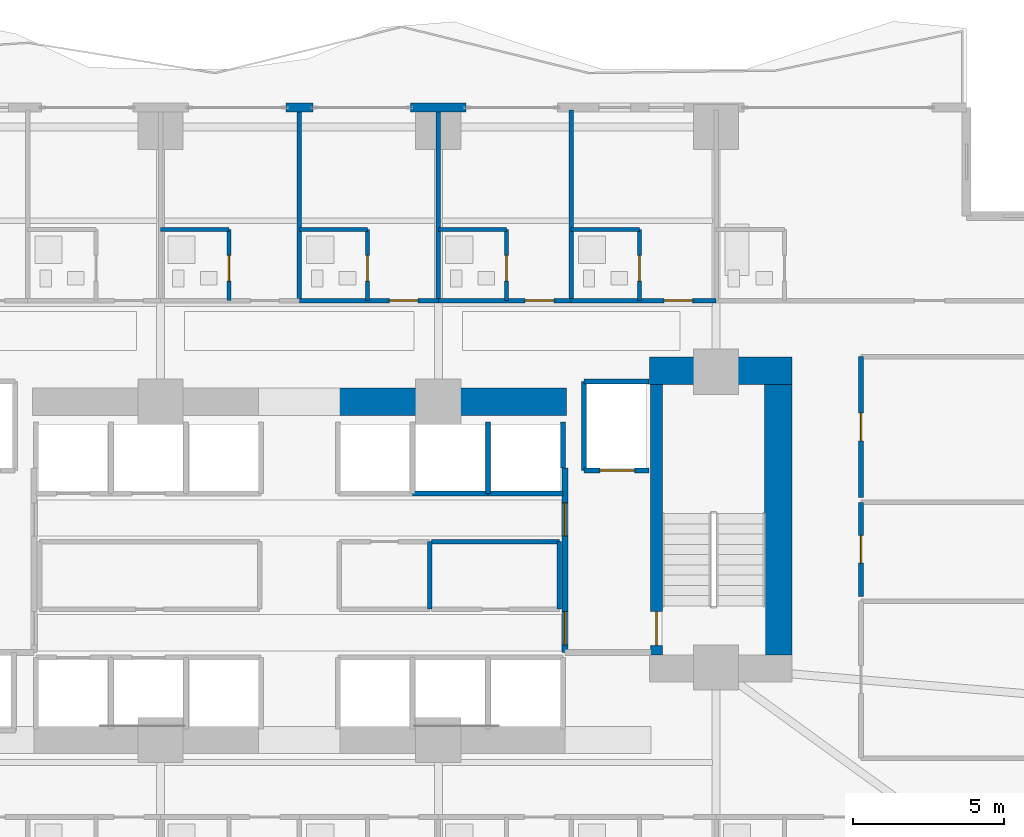
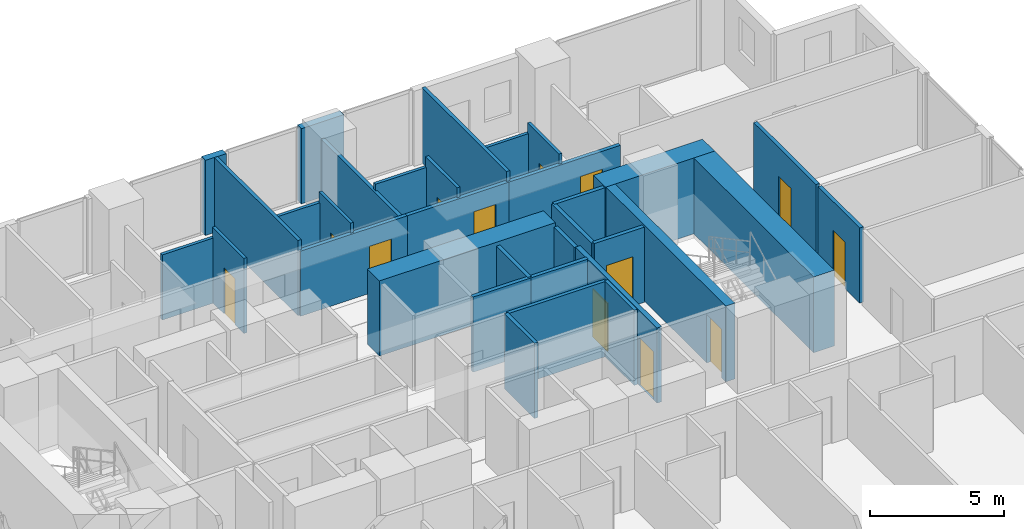
# One storey, part 23 of 29: 33 walls, 13 doors, 13 openings.
"""IFC4 building model written with IfcOpenShell, lengths in metres."""

from ifc_helpers import new_model, si_unit, direction, frame, frame_2d, origin, place, context, subcontext, project, spatial, rectangle, extrude, material, layer, layer_set, type_object, element, fill, save


model = new_model("IFC4")

# Units and contexts
model_context = context("Model", 3, precision=1e-05, world=origin(), true_north=direction((0.0, 1.0)))
body_context = subcontext(model_context, "Body", "Model", "MODEL_VIEW")
ifc_project = project(units=[si_unit("LENGTHUNIT", "METRE"), si_unit("AREAUNIT", "SQUARE_METRE"), si_unit("VOLUMEUNIT", "CUBIC_METRE"), si_unit("PLANEANGLEUNIT", "RADIAN"), si_unit("MASSUNIT", "GRAM", prefix="KILO")], contexts=[model_context])

# Site, building, storey
site_placement = place(None, origin())
site = spatial("IfcSite", under=ifc_project, at=site_placement, CompositionType="ELEMENT")
building_placement = place(site_placement, origin())
building = spatial("IfcBuilding", under=site, at=building_placement, Name="Zuhayl Quay Hotel", CompositionType="ELEMENT")
storey_placement = place(building_placement, frame((0.0, 0.0, 60.449951171875)))
storey = spatial("IfcBuildingStorey", under=building, at=storey_placement, Name="L14", CompositionType="ELEMENT", Elevation=60.449951171875)

# Walls
ifc_material_1 = material(Name="Concrete C70/85", Category="concrete")
ifc_layer_1 = layer(ifc_material_1, 0.89990234375, Name="Concrete C70/85", Category="concrete")
ifc_layer_set_1 = layer_set([ifc_layer_1], Name="Concrete C70/85")
wall_type_1 = type_object("IfcWallType", Name="WL_CORE_900", PredefinedType="SHEAR", material=ifc_layer_set_1)
wall_1_placement = place(storey_placement, frame((11.60009765625, 14.3798828125, 0.0), z_axis=(0.0, 0.0, 1.0), x_axis=(1.0, 0.0, 0.0)))
element("IfcWall", 1, at=wall_1_placement, inside=storey, type_object=wall_type_1, Name="L14 Core Shear Wall CW_NE", PredefinedType="SHEAR", context=body_context, shape_type="SweptSolid", body=[
    extrude(rectangle(XDim=4.7099609375, YDim=0.89990234375, at=frame_2d((2.35498046875, 0.0))), origin(), (0.0, 0.0, 1.0), 3.4599609375),
])
wall_2_placement = place(storey_placement, frame((15.860107421875, 4.969970703125, 0.0), z_axis=(0.0, 0.0, 1.0), x_axis=(0.0, 1.0, 0.0)))
element("IfcWall", 2, at=wall_2_placement, inside=storey, type_object=wall_type_1, Name="L14 Core Shear Wall CW_E", PredefinedType="SHEAR", context=body_context, shape_type="SweptSolid", body=[
    extrude(rectangle(XDim=8.9599609375, YDim=0.89990234375, at=frame_2d((4.47998046875, 0.0))), origin(), (0.0, 0.0, 1.0), 3.4599609375),
])
wall_3_placement = place(storey_placement, frame((1.25, 13.35009765625, 0.0), z_axis=(0.0, 0.0, 1.0), x_axis=(1.0, 0.0, 0.0)))
element("IfcWall", 3, at=wall_3_placement, inside=storey, type_object=wall_type_1, Name="L14 Core Shear Wall CW_NC_E", PredefinedType="SHEAR", context=body_context, shape_type="SweptSolid", body=[
    extrude(rectangle(XDim=7.60009765625, YDim=0.89990234375, at=frame_2d((3.800048828125, 0.0))), origin(), (0.0, 0.0, 1.0), 3.429931640625),
])
ifc_material_2 = material(Name="Precast concrete C45/55", Category="concrete")
ifc_layer_2 = layer(ifc_material_2, 0.300048828125, Name="Precast concrete C45/55", Category="concrete")
ifc_layer_set_2 = layer_set([ifc_layer_2], Name="Precast concrete C45/55")
wall_type_2 = type_object("IfcWallType", Name="WL_EXT_300", PredefinedType="STANDARD", material=ifc_layer_set_2)
wall_4_placement = place(storey_placement, frame((-0.449951171875, 23.10009765625, 0.0), z_axis=(0.0, 0.0, 1.0), x_axis=(1.0, 0.0, 0.0)))
element("IfcWall", 4, at=wall_4_placement, inside=storey, type_object=wall_type_2, Name="L14 Exterior Precast Wall ENV_L14_N_EW4", PredefinedType="STANDARD", context=body_context, shape_type="SweptSolid", body=[
    extrude(rectangle(XDim=0.89990234375, YDim=0.300048828125, at=frame_2d((0.449951171875, 0.0))), origin(), (0.0, 0.0, 1.0), 3.429931640625),
])
wall_5_placement = place(storey_placement, frame((3.679931640625, 23.10009765625, 0.0), z_axis=(0.0, 0.0, 1.0), x_axis=(1.0, 0.0, 0.0)))
element("IfcWall", 5, at=wall_5_placement, inside=storey, type_object=wall_type_2, Name="L14 Exterior Precast Wall ENV_L14_N_EW5", PredefinedType="STANDARD", context=body_context, shape_type="SweptSolid", body=[
    extrude(rectangle(XDim=1.840087890625, YDim=0.300048828125, at=frame_2d((0.919921875, 0.0))), origin(), (0.0, 0.0, 1.0), 3.429931640625),
])
ifc_material_3 = material(Name="Acoustic Gypsum Partition STC-58")
ifc_layer_3 = layer(ifc_material_3, 0.14990234375, Name="Acoustic Gypsum Partition STC-58")
ifc_layer_set_3 = layer_set([ifc_layer_3], Name="Acoustic Gypsum Partition STC-58")
wall_type_3 = type_object("IfcWallType", Name="WL_PART_150", PredefinedType="PARTITIONING", material=ifc_layer_set_3)
wall_6_placement = place(storey_placement, frame((4.31005859375, 6.47998046875, 0.0), z_axis=(0.0, 0.0, 1.0), x_axis=(0.0, 1.0, 0.0)))
element("IfcWall", 6, at=wall_6_placement, inside=storey, type_object=wall_type_3, Name="L14 Partition IW_L14_CORE_IT_E", PredefinedType="PARTITIONING", context=body_context, shape_type="SweptSolid", body=[
    extrude(rectangle(XDim=2.239990234375, YDim=0.14990234375, at=frame_2d((1.1201171875, 0.0))), origin(), (0.0, 0.0, 1.0), 3.429931640625),
])
wall_7_placement = place(storey_placement, frame((4.3701171875, 8.719970703125, 0.0), z_axis=(0.0, 0.0, 1.0), x_axis=(1.0, 0.0, 0.0)))
element("IfcWall", 7, at=wall_7_placement, inside=storey, type_object=wall_type_3, Name="L14 Partition IW_L14_CORE_LN_N", PredefinedType="PARTITIONING", context=body_context, shape_type="SweptSolid", body=[
    extrude(rectangle(XDim=4.239990234375, YDim=0.14990234375, at=frame_2d((2.1201171875, 0.0))), origin(), (0.0, 0.0, 1.0), 3.429931640625),
])
wall_8_placement = place(storey_placement, frame((8.610107421875, 6.47998046875, 0.0), z_axis=(0.0, 0.0, 1.0), x_axis=(0.0, 1.0, 0.0)))
element("IfcWall", 8, at=wall_8_placement, inside=storey, type_object=wall_type_3, Name="L14 Partition IW_L14_CORE_LN_E", PredefinedType="PARTITIONING", context=body_context, shape_type="SweptSolid", body=[
    extrude(rectangle(XDim=2.239990234375, YDim=0.14990234375, at=frame_2d((1.1201171875, 0.0))), origin(), (0.0, 0.0, 1.0), 3.429931640625),
])
wall_9_placement = place(storey_placement, frame((0.0, 16.699951171875, 0.0), z_axis=(0.0, 0.0, 1.0), x_axis=(0.0, 1.0, 0.0)))
element("IfcWall", 9, at=wall_9_placement, inside=storey, type_object=wall_type_3, Name="L14 Partition IW_L14_NU04_E", PredefinedType="PARTITIONING", context=body_context, shape_type="SweptSolid", body=[
    extrude(rectangle(XDim=6.320068359375, YDim=0.14990234375, at=frame_2d((3.16015625, 0.0))), origin(), (0.0, 0.0, 1.0), 3.429931640625),
])
wall_10_placement = place(storey_placement, frame((4.60009765625, 16.699951171875, 0.0), z_axis=(0.0, 0.0, 1.0), x_axis=(0.0, 1.0, 0.0)))
element("IfcWall", 10, at=wall_10_placement, inside=storey, type_object=wall_type_3, Name="L14 Partition IW_L14_NU05_E", PredefinedType="PARTITIONING", context=body_context, shape_type="SweptSolid", body=[
    extrude(rectangle(XDim=6.320068359375, YDim=0.14990234375, at=frame_2d((3.16015625, 0.0))), origin(), (0.0, 0.0, 1.0), 2.66796875),
])
wall_11_placement = place(storey_placement, frame((9.0, 16.699951171875, 0.0), z_axis=(0.0, 0.0, 1.0), x_axis=(0.0, 1.0, 0.0)))
element("IfcWall", 11, at=wall_11_placement, inside=storey, type_object=wall_type_3, Name="L14 Partition IW_L14_NU06_E", PredefinedType="PARTITIONING", context=body_context, shape_type="SweptSolid", body=[
    extrude(rectangle(XDim=6.320068359375, YDim=0.14990234375, at=frame_2d((3.16015625, 0.0))), origin(), (0.0, 0.0, 1.0), 3.429931640625),
])

# Wall, opening, door
ifc_layer_4 = layer(ifc_material_3, 0.159912109375, Name="Acoustic Gypsum Partition STC-58")
ifc_layer_set_4 = layer_set([ifc_layer_4], Name="Acoustic Gypsum Partition STC-58")
wall_type_4 = type_object("IfcWallType", Name="WL_PART_CORR_160", PredefinedType="PARTITIONING", material=ifc_layer_set_4)
wall_12_placement = place(storey_placement, frame((0.0, 16.699951171875, 0.0), z_axis=(0.0, 0.0, 1.0), x_axis=(1.0, 0.0, 0.0)))
wall_12 = element("IfcWall", 12, at=wall_12_placement, inside=storey, type_object=wall_type_4, Name="L14 Partition IW_L14_NU05_COR", PredefinedType="PARTITIONING", context=body_context, shape_type="SweptSolid", body=[
    extrude(rectangle(XDim=4.60009765625, YDim=0.159912109375, at=frame_2d((2.300048828125, 0.0))), origin(), (0.0, 0.0, 1.0), 2.97314453125),
])
opening_1_placement = place(wall_12_placement, frame((2.97509765625, 0.0, 0.0)))
opening_1 = element("IfcOpeningElement", 13, at=opening_1_placement, cuts=wall_12, Name="Opening D03", PredefinedType="OPENING", context=body_context, shape_type="SweptSolid", body=[
    extrude(rectangle(XDim=0.949951171875, YDim=2.14990234375, at=frame_2d((0.47509765625, 1.074951171875))), frame((0.0, 0.08984375, 0.0), z_axis=(0.0, -1.0, 0.0), x_axis=(1.0, 0.0, 0.0)), (0.0, 0.0, 1.0), 0.179931640625),
])
ifc_material_4 = material(Name="Solid Walnut Acoustic Fire Door")
door_type_1 = type_object("IfcDoorType", Name="DR_SUITE_950", OperationType="NOTDEFINED", PredefinedType="DOOR", material=ifc_material_4)
door_1_placement = place(opening_1_placement, origin())
door_1 = element("IfcDoor", 14, at=door_1_placement, inside=storey, type_object=door_type_1, Name="L14 Deluxe Gulf Guest Room L14-05 Entrance Door", OperationType="SINGLE_SWING_RIGHT", OverallHeight=2.14990234375, OverallWidth=0.949951171875, PredefinedType="DOOR", context=body_context, shape_type="SweptSolid", body=[
    extrude(rectangle(XDim=0.949951171875, YDim=2.14990234375, at=frame_2d((0.47509765625, 1.074951171875))), frame((0.0, 0.02490234375, 0.0), z_axis=(0.0, -1.0, 0.0), x_axis=(1.0, 0.0, 0.0)), (0.0, 0.0, 1.0), 0.050048828125),
])
fill(opening_1, door_1)

wall_13_placement = place(storey_placement, frame((4.60009765625, 16.699951171875, 0.0), z_axis=(0.0, 0.0, 1.0), x_axis=(1.0, 0.0, 0.0)))
wall_13 = element("IfcWall", 15, at=wall_13_placement, inside=storey, type_object=wall_type_4, Name="L14 Partition IW_L14_NU06_COR", PredefinedType="PARTITIONING", context=body_context, shape_type="SweptSolid", body=[
    extrude(rectangle(XDim=4.39990234375, YDim=0.159912109375, at=frame_2d((2.199951171875, 0.0))), origin(), (0.0, 0.0, 1.0), 2.97314453125),
])
opening_2_placement = place(wall_13_placement, frame((2.875, 0.0, 0.0)))
opening_2 = element("IfcOpeningElement", 16, at=opening_2_placement, cuts=wall_13, Name="Opening D03", PredefinedType="OPENING", context=body_context, shape_type="SweptSolid", body=[
    extrude(rectangle(XDim=0.949951171875, YDim=2.14990234375, at=frame_2d((0.47509765625, 1.074951171875))), frame((0.0, 0.08984375, 0.0), z_axis=(0.0, -1.0, 0.0), x_axis=(1.0, 0.0, 0.0)), (0.0, 0.0, 1.0), 0.179931640625),
])
door_2_placement = place(opening_2_placement, origin())
door_2 = element("IfcDoor", 17, at=door_2_placement, inside=storey, type_object=door_type_1, Name="L14 Deluxe Gulf Guest Room L14-06 Entrance Door", OperationType="SINGLE_SWING_RIGHT", OverallHeight=2.14990234375, OverallWidth=0.949951171875, PredefinedType="DOOR", context=body_context, shape_type="SweptSolid", body=[
    extrude(rectangle(XDim=0.949951171875, YDim=2.14990234375, at=frame_2d((0.47509765625, 1.074951171875))), frame((0.0, 0.02490234375, 0.0), z_axis=(0.0, -1.0, 0.0), x_axis=(1.0, 0.0, 0.0)), (0.0, 0.0, 1.0), 0.050048828125),
])
fill(opening_2, door_2)

wall_14_placement = place(storey_placement, frame((9.0, 16.699951171875, 0.0), z_axis=(0.0, 0.0, 1.0), x_axis=(1.0, 0.0, 0.0)))
wall_14 = element("IfcWall", 18, at=wall_14_placement, inside=storey, type_object=wall_type_4, Name="L14 Partition IW_L14_NU07_COR", PredefinedType="PARTITIONING", context=body_context, shape_type="SweptSolid", body=[
    extrude(rectangle(XDim=4.800048828125, YDim=0.159912109375, at=frame_2d((2.39990234375, 0.0))), origin(), (0.0, 0.0, 1.0), 2.97314453125),
])
opening_3_placement = place(wall_14_placement, frame((3.074951171875, 0.0, 0.0)))
opening_3 = element("IfcOpeningElement", 19, at=opening_3_placement, cuts=wall_14, Name="Opening D03", PredefinedType="OPENING", context=body_context, shape_type="SweptSolid", body=[
    extrude(rectangle(XDim=0.949951171875, YDim=2.14990234375, at=frame_2d((0.47509765625, 1.074951171875))), frame((0.0, 0.08984375, 0.0), z_axis=(0.0, -1.0, 0.0), x_axis=(1.0, 0.0, 0.0)), (0.0, 0.0, 1.0), 0.179931640625),
])
door_3_placement = place(opening_3_placement, origin())
door_3 = element("IfcDoor", 20, at=door_3_placement, inside=storey, type_object=door_type_1, Name="L14 Deluxe Gulf Guest Room L14-07 Entrance Door", OperationType="SINGLE_SWING_RIGHT", OverallHeight=2.14990234375, OverallWidth=0.949951171875, PredefinedType="DOOR", context=body_context, shape_type="SweptSolid", body=[
    extrude(rectangle(XDim=0.949951171875, YDim=2.14990234375, at=frame_2d((0.47509765625, 1.074951171875))), frame((0.0, 0.02490234375, 0.0), z_axis=(0.0, -1.0, 0.0), x_axis=(1.0, 0.0, 0.0)), (0.0, 0.0, 1.0), 0.050048828125),
])
fill(opening_3, door_3)

wall_15_placement = place(storey_placement, frame((18.60009765625, 6.909912109375, 0.0), z_axis=(0.0, 0.0, 1.0), x_axis=(0.0, 1.0, 0.0)))
wall_15 = element("IfcWall", 21, at=wall_15_placement, inside=storey, type_object=wall_type_4, Name="L14 Partition IW_L14_EFLK_2_W", PredefinedType="PARTITIONING", context=body_context, shape_type="SweptSolid", body=[
    extrude(rectangle(XDim=3.110107421875, YDim=0.159912109375, at=frame_2d((1.55517578125, 0.0))), origin(), (0.0, 0.0, 1.0), 3.429931640625),
])
opening_4_placement = place(wall_15_placement, frame((1.094970703125, 0.0, 0.0)))
opening_4 = element("IfcOpeningElement", 22, at=opening_4_placement, cuts=wall_15, Name="Opening D05", PredefinedType="OPENING", context=body_context, shape_type="SweptSolid", body=[
    extrude(rectangle(XDim=0.919921875, YDim=2.1201171875, at=frame_2d((0.4599609375, 1.06005859375))), frame((0.0, 0.08984375, 0.0), z_axis=(0.0, -1.0, 0.0), x_axis=(1.0, 0.0, 0.0)), (0.0, 0.0, 1.0), 0.179931640625),
])
door_type_2 = type_object("IfcDoorType", Name="DR_INT_950", OperationType="NOTDEFINED", PredefinedType="DOOR", material=ifc_material_4)
door_4_placement = place(opening_4_placement, origin())
door_4 = element("IfcDoor", 23, at=door_4_placement, inside=storey, type_object=door_type_2, Name="L14 Floor Beverage Pantry Door", OperationType="SINGLE_SWING_RIGHT", OverallHeight=2.1201171875, OverallWidth=0.919921875, PredefinedType="DOOR", context=body_context, shape_type="SweptSolid", body=[
    extrude(rectangle(XDim=0.919921875, YDim=2.1201171875, at=frame_2d((0.4599609375, 1.06005859375))), frame((0.0, 0.02490234375, 0.0), z_axis=(0.0, -1.0, 0.0), x_axis=(1.0, 0.0, 0.0)), (0.0, 0.0, 1.0), 0.050048828125),
])
fill(opening_4, door_4)

wall_16_placement = place(storey_placement, frame((18.60009765625, 10.179931640625, 0.0), z_axis=(0.0, 0.0, 1.0), x_axis=(0.0, 1.0, 0.0)))
wall_16 = element("IfcWall", 24, at=wall_16_placement, inside=storey, type_object=wall_type_4, Name="L14 Partition IW_L14_EFLK_3_W", PredefinedType="PARTITIONING", context=body_context, shape_type="SweptSolid", body=[
    extrude(rectangle(XDim=4.670166015625, YDim=0.159912109375, at=frame_2d((2.3349609375, 0.0))), origin(), (0.0, 0.0, 1.0), 3.429931640625),
])
opening_5_placement = place(wall_16_placement, frame((1.875, 0.0, 0.0)))
opening_5 = element("IfcOpeningElement", 25, at=opening_5_placement, cuts=wall_16, Name="Opening D05", PredefinedType="OPENING", context=body_context, shape_type="SweptSolid", body=[
    extrude(rectangle(XDim=0.919921875, YDim=2.1201171875, at=frame_2d((0.4599609375, 1.06005859375))), frame((0.0, 0.08984375, 0.0), z_axis=(0.0, -1.0, 0.0), x_axis=(1.0, 0.0, 0.0)), (0.0, 0.0, 1.0), 0.179931640625),
])
door_5_placement = place(opening_5_placement, origin())
door_5 = element("IfcDoor", 26, at=door_5_placement, inside=storey, type_object=door_type_2, Name="L14 East Prow Office L14 Door", OperationType="SINGLE_SWING_LEFT", OverallHeight=2.1201171875, OverallWidth=0.919921875, PredefinedType="DOOR", context=body_context, shape_type="SweptSolid", body=[
    extrude(rectangle(XDim=0.919921875, YDim=2.1201171875, at=frame_2d((0.4599609375, 1.06005859375))), frame((0.0, 0.02490234375, 0.0), z_axis=(0.0, -1.0, 0.0), x_axis=(1.0, 0.0, 0.0)), (0.0, 0.0, 1.0), 0.050048828125),
])
fill(opening_5, door_5)

ifc_material_5 = material(Name="Moisture-Resistant Sanitarychase Gypsum")
ifc_layer_5 = layer(ifc_material_5, 0.135009765625, Name="Moisture-Resistant Sanitarychase Gypsum")
ifc_layer_set_5 = layer_set([ifc_layer_5], Name="Moisture-Resistant Sanitarychase Gypsum")
wall_type_5 = type_object("IfcWallType", Name="WL_PART_PLUMB_150", PredefinedType="PLUMBINGWALL", material=ifc_layer_set_5)
wall_17_placement = place(storey_placement, frame((-2.340087890625, 16.699951171875, 0.0), z_axis=(0.0, 0.0, 1.0), x_axis=(0.0, 1.0, 0.0)))
wall_17 = element("IfcWall", 27, at=wall_17_placement, inside=storey, type_object=wall_type_5, Name="L14 Partition IW_L14_NU04_BE", PredefinedType="PLUMBINGWALL", context=body_context, shape_type="SweptSolid", body=[
    extrude(rectangle(XDim=2.360107421875, YDim=0.135009765625, at=frame_2d((1.18017578125, 0.0))), origin(), (0.0, 0.0, 1.0), 3.429931640625),
])
opening_6_placement = place(wall_17_placement, frame((0.64990234375, 0.0, 0.0)))
opening_6 = element("IfcOpeningElement", 28, at=opening_6_placement, cuts=wall_17, Name="Opening D04", PredefinedType="OPENING", context=body_context, shape_type="SweptSolid", body=[
    extrude(rectangle(XDim=0.85009765625, YDim=2.10009765625, at=frame_2d((0.425048828125, 1.050048828125))), frame((0.0, 0.077392578125, 0.0), z_axis=(0.0, -1.0, 0.0), x_axis=(1.0, 0.0, 0.0)), (0.0, 0.0, 1.0), 0.155029296875),
])
ifc_material_6 = material(Name="Moisture-Resistant Walnut Veneer")
door_type_3 = type_object("IfcDoorType", Name="DR_BATH_850", OperationType="NOTDEFINED", PredefinedType="DOOR", material=ifc_material_6)
door_6_placement = place(opening_6_placement, origin())
door_6 = element("IfcDoor", 29, at=door_6_placement, inside=storey, type_object=door_type_3, Name="L14 Deluxe Gulf Guest Room L14-04 En-Suite Door", OperationType="SINGLE_SWING_LEFT", OverallHeight=2.10009765625, OverallWidth=0.85009765625, PredefinedType="DOOR", context=body_context, shape_type="SweptSolid", body=[
    extrude(rectangle(XDim=0.85009765625, YDim=2.10009765625, at=frame_2d((0.425048828125, 1.050048828125))), frame((0.0, 0.02490234375, 0.0), z_axis=(0.0, -1.0, 0.0), x_axis=(1.0, 0.0, 0.0)), (0.0, 0.0, 1.0), 0.050048828125),
])
fill(opening_6, door_6)

wall_18_placement = place(storey_placement, frame((2.260009765625, 16.699951171875, 0.0), z_axis=(0.0, 0.0, 1.0), x_axis=(0.0, 1.0, 0.0)))
wall_18 = element("IfcWall", 30, at=wall_18_placement, inside=storey, type_object=wall_type_5, Name="L14 Partition IW_L14_NU05_BE", PredefinedType="PLUMBINGWALL", context=body_context, shape_type="SweptSolid", body=[
    extrude(rectangle(XDim=2.360107421875, YDim=0.135009765625, at=frame_2d((1.18017578125, 0.0))), origin(), (0.0, 0.0, 1.0), 3.429931640625),
])
opening_7_placement = place(wall_18_placement, frame((0.64990234375, 0.0, 0.0)))
opening_7 = element("IfcOpeningElement", 31, at=opening_7_placement, cuts=wall_18, Name="Opening D04", PredefinedType="OPENING", context=body_context, shape_type="SweptSolid", body=[
    extrude(rectangle(XDim=0.85009765625, YDim=2.10009765625, at=frame_2d((0.425048828125, 1.050048828125))), frame((0.0, 0.077392578125, 0.0), z_axis=(0.0, -1.0, 0.0), x_axis=(1.0, 0.0, 0.0)), (0.0, 0.0, 1.0), 0.155029296875),
])
door_7_placement = place(opening_7_placement, origin())
door_7 = element("IfcDoor", 32, at=door_7_placement, inside=storey, type_object=door_type_3, Name="L14 Deluxe Gulf Guest Room L14-05 En-Suite Door", OperationType="SINGLE_SWING_LEFT", OverallHeight=2.10009765625, OverallWidth=0.85009765625, PredefinedType="DOOR", context=body_context, shape_type="SweptSolid", body=[
    extrude(rectangle(XDim=0.85009765625, YDim=2.10009765625, at=frame_2d((0.425048828125, 1.050048828125))), frame((0.0, 0.02490234375, 0.0), z_axis=(0.0, -1.0, 0.0), x_axis=(1.0, 0.0, 0.0)), (0.0, 0.0, 1.0), 0.050048828125),
])
fill(opening_7, door_7)

wall_19_placement = place(storey_placement, frame((6.860107421875, 16.699951171875, 0.0), z_axis=(0.0, 0.0, 1.0), x_axis=(0.0, 1.0, 0.0)))
wall_19 = element("IfcWall", 33, at=wall_19_placement, inside=storey, type_object=wall_type_5, Name="L14 Partition IW_L14_NU06_BE", PredefinedType="PLUMBINGWALL", context=body_context, shape_type="SweptSolid", body=[
    extrude(rectangle(XDim=2.360107421875, YDim=0.135009765625, at=frame_2d((1.18017578125, 0.0))), origin(), (0.0, 0.0, 1.0), 3.429931640625),
])
opening_8_placement = place(wall_19_placement, frame((0.64990234375, 0.0, 0.0)))
opening_8 = element("IfcOpeningElement", 34, at=opening_8_placement, cuts=wall_19, Name="Opening D04", PredefinedType="OPENING", context=body_context, shape_type="SweptSolid", body=[
    extrude(rectangle(XDim=0.85009765625, YDim=2.10009765625, at=frame_2d((0.425048828125, 1.050048828125))), frame((0.0, 0.077392578125, 0.0), z_axis=(0.0, -1.0, 0.0), x_axis=(1.0, 0.0, 0.0)), (0.0, 0.0, 1.0), 0.155029296875),
])
door_8_placement = place(opening_8_placement, origin())
door_8 = element("IfcDoor", 35, at=door_8_placement, inside=storey, type_object=door_type_3, Name="L14 Deluxe Gulf Guest Room L14-06 En-Suite Door", OperationType="SINGLE_SWING_LEFT", OverallHeight=2.10009765625, OverallWidth=0.85009765625, PredefinedType="DOOR", context=body_context, shape_type="SweptSolid", body=[
    extrude(rectangle(XDim=0.85009765625, YDim=2.10009765625, at=frame_2d((0.425048828125, 1.050048828125))), frame((0.0, 0.02490234375, 0.0), z_axis=(0.0, -1.0, 0.0), x_axis=(1.0, 0.0, 0.0)), (0.0, 0.0, 1.0), 0.050048828125),
])
fill(opening_8, door_8)

wall_20_placement = place(storey_placement, frame((11.260009765625, 16.699951171875, 0.0), z_axis=(0.0, 0.0, 1.0), x_axis=(0.0, 1.0, 0.0)))
wall_20 = element("IfcWall", 36, at=wall_20_placement, inside=storey, type_object=wall_type_5, Name="L14 Partition IW_L14_NU07_BE", PredefinedType="PLUMBINGWALL", context=body_context, shape_type="SweptSolid", body=[
    extrude(rectangle(XDim=2.360107421875, YDim=0.135009765625, at=frame_2d((1.18017578125, 0.0))), origin(), (0.0, 0.0, 1.0), 3.429931640625),
])
opening_9_placement = place(wall_20_placement, frame((0.64990234375, 0.0, 0.0)))
opening_9 = element("IfcOpeningElement", 37, at=opening_9_placement, cuts=wall_20, Name="Opening D04", PredefinedType="OPENING", context=body_context, shape_type="SweptSolid", body=[
    extrude(rectangle(XDim=0.85009765625, YDim=2.10009765625, at=frame_2d((0.425048828125, 1.050048828125))), frame((0.0, 0.077392578125, 0.0), z_axis=(0.0, -1.0, 0.0), x_axis=(1.0, 0.0, 0.0)), (0.0, 0.0, 1.0), 0.155029296875),
])
door_9_placement = place(opening_9_placement, origin())
door_9 = element("IfcDoor", 38, at=door_9_placement, inside=storey, type_object=door_type_3, Name="L14 Deluxe Gulf Guest Room L14-07 En-Suite Door", OperationType="SINGLE_SWING_LEFT", OverallHeight=2.10009765625, OverallWidth=0.85009765625, PredefinedType="DOOR", context=body_context, shape_type="SweptSolid", body=[
    extrude(rectangle(XDim=0.85009765625, YDim=2.10009765625, at=frame_2d((0.425048828125, 1.050048828125))), frame((0.0, 0.02490234375, 0.0), z_axis=(0.0, -1.0, 0.0), x_axis=(1.0, 0.0, 0.0)), (0.0, 0.0, 1.0), 0.050048828125),
])
fill(opening_9, door_9)

# Walls
for number, where, z_axis, x_axis, name in (
    (39, (-4.60009765625, 19.06005859375, 0.0), (0.0, 0.0, 1.0), (1.0, 0.0, 0.0), "L14 Partition IW_L14_NU04_BN"),
    (40, (0.0, 19.06005859375, 0.0), (0.0, 0.0, 1.0), (1.0, 0.0, 0.0), "L14 Partition IW_L14_NU05_BN"),
    (41, (4.60009765625, 19.06005859375, 0.0), (0.0, 0.0, 1.0), (1.0, 0.0, 0.0), "L14 Partition IW_L14_NU06_BN"),
    (42, (9.0, 19.06005859375, 0.0), (0.0, 0.0, 1.0), (1.0, 0.0, 0.0), "L14 Partition IW_L14_NU07_BN"),
):
    element("IfcWall", number, at=place(storey_placement, frame(where, z_axis=z_axis, x_axis=x_axis)), inside=storey, type_object=wall_type_5, Name=name, PredefinedType="PLUMBINGWALL", context=body_context, shape_type="SweptSolid", body=[
        extrude(rectangle(XDim=2.260009765625, YDim=0.135009765625, at=frame_2d((1.1298828125, 0.0))), origin(), (0.0, 0.0, 1.0), 2.97314453125),
    ])

# Wall, opening, door
ifc_material_7 = material(Name="Gypsum Fireboard Assembly EI-90")
ifc_layer_6 = layer(ifc_material_7, 0.1650390625, Name="Gypsum Fireboard Assembly EI-90")
ifc_layer_set_6 = layer_set([ifc_layer_6], Name="Gypsum Fireboard Assembly EI-90")
wall_type_6 = type_object("IfcWallType", Name="WL_PART_SHAFT_160", PredefinedType="PARTITIONING", material=ifc_layer_set_6)
wall_21_placement = place(storey_placement, frame((9.419921875, 11.070068359375, 0.0), z_axis=(0.0, 0.0, 1.0), x_axis=(1.0, 0.0, 0.0)))
wall_21 = element("IfcWall", 43, at=wall_21_placement, inside=storey, type_object=wall_type_6, Name="L14 Partition IW_L14_SH_FL2_F", PredefinedType="PARTITIONING", context=body_context, shape_type="SweptSolid", body=[
    extrude(rectangle(XDim=2.16015625, YDim=0.1650390625, at=frame_2d((1.080078125, 0.0))), origin(), (0.0, 0.0, 1.0), 3.429931640625),
])
opening_10_placement = place(wall_21_placement, frame((0.530029296875, 0.0, 0.0)))
opening_10 = element("IfcOpeningElement", 44, at=opening_10_placement, cuts=wall_21, Name="Opening LD2", PredefinedType="OPENING", context=body_context, shape_type="SweptSolid", body=[
    extrude(rectangle(XDim=1.14990234375, YDim=2.25, at=frame_2d((0.574951171875, 1.125))), frame((0.0, 0.092529296875, 0.0), z_axis=(0.0, -1.0, 0.0), x_axis=(1.0, 0.0, 0.0)), (0.0, 0.0, 1.0), 0.18505859375),
])
ifc_material_8 = material(Name="Brushed Stainless Steel", Category="steel")
door_type_4 = type_object("IfcDoorType", Name="DR_LIFT_FF_1100", OperationType="SLIDING_TO_LEFT", PredefinedType="DOOR", material=ifc_material_8)
door_10_placement = place(opening_10_placement, origin())
door_10 = element("IfcDoor", 45, at=door_10_placement, inside=storey, type_object=door_type_4, Name="L14 Lift FL2 Sliding Landing Door", OperationType="SLIDING_TO_LEFT", OverallHeight=2.25, OverallWidth=1.14990234375, PredefinedType="DOOR", context=body_context, shape_type="SweptSolid", body=[
    extrude(rectangle(XDim=1.14990234375, YDim=2.25, at=frame_2d((0.574951171875, 1.125))), frame((0.0, 0.02490234375, 0.0), z_axis=(0.0, -1.0, 0.0), x_axis=(1.0, 0.0, 0.0)), (0.0, 0.0, 1.0), 0.050048828125),
])
fill(opening_10, door_10)

# Walls
wall_22_placement = place(storey_placement, frame((9.419921875, 11.070068359375, 0.0), z_axis=(0.0, 0.0, 1.0), x_axis=(0.0, 1.0, 0.0)))
element("IfcWall", 46, at=wall_22_placement, inside=storey, type_object=wall_type_6, Name="L14 Partition IW_L14_SH_FL2_W", PredefinedType="PARTITIONING", context=body_context, shape_type="SweptSolid", body=[
    extrude(rectangle(XDim=2.9599609375, YDim=0.1650390625, at=frame_2d((1.47998046875, 0.0))), origin(), (0.0, 0.0, 1.0), 3.429931640625),
])
wall_23_placement = place(storey_placement, frame((9.419921875, 14.030029296875, 0.0), z_axis=(0.0, 0.0, 1.0), x_axis=(1.0, 0.0, 0.0)))
element("IfcWall", 47, at=wall_23_placement, inside=storey, type_object=wall_type_6, Name="L14 Partition IW_L14_SH_FL2_B", PredefinedType="PARTITIONING", context=body_context, shape_type="SweptSolid", body=[
    extrude(rectangle(XDim=2.16015625, YDim=0.1650390625, at=frame_2d((1.080078125, 0.0))), origin(), (0.0, 0.0, 1.0), 3.429931640625),
])
wall_24_placement = place(storey_placement, frame((3.75, 10.320068359375, 0.0), z_axis=(0.0, 0.0, 1.0), x_axis=(1.0, 0.0, 0.0)))
element("IfcWall", 48, at=wall_24_placement, inside=storey, type_object=wall_type_6, Name="L14 Partition IW_L14_SH_HP3_F", PredefinedType="PARTITIONING", context=body_context, shape_type="SweptSolid", body=[
    extrude(rectangle(XDim=2.5, YDim=0.1650390625, at=frame_2d((1.25, 0.0))), origin(), (0.0, 0.0, 1.0), 3.429931640625),
])
wall_25_placement = place(storey_placement, frame((6.25, 10.320068359375, 0.0), z_axis=(0.0, 0.0, 1.0), x_axis=(0.0, 1.0, 0.0)))
element("IfcWall", 49, at=wall_25_placement, inside=storey, type_object=wall_type_6, Name="L14 Partition IW_L14_SH_HP3_E", PredefinedType="PARTITIONING", context=body_context, shape_type="SweptSolid", body=[
    extrude(rectangle(XDim=2.35986328125, YDim=0.1650390625, at=frame_2d((1.179931640625, 0.0))), origin(), (0.0, 0.0, 1.0), 3.429931640625),
])
wall_26_placement = place(storey_placement, frame((6.25, 10.320068359375, 0.0), z_axis=(0.0, 0.0, 1.0), x_axis=(1.0, 0.0, 0.0)))
element("IfcWall", 50, at=wall_26_placement, inside=storey, type_object=wall_type_6, Name="L14 Partition IW_L14_SH_HP4_F", PredefinedType="PARTITIONING", context=body_context, shape_type="SweptSolid", body=[
    extrude(rectangle(XDim=2.47998046875, YDim=0.1650390625, at=frame_2d((1.239990234375, 0.0))), origin(), (0.0, 0.0, 1.0), 3.429931640625),
])
wall_27_placement = place(storey_placement, frame((8.72998046875, 11.14990234375, 0.0), z_axis=(0.0, 0.0, 1.0), x_axis=(0.0, 1.0, 0.0)))
element("IfcWall", 51, at=wall_27_placement, inside=storey, type_object=wall_type_6, Name="L14 Partition IW_L14_SH_HP4_E", PredefinedType="PARTITIONING", context=body_context, shape_type="SweptSolid", body=[
    extrude(rectangle(XDim=1.530029296875, YDim=0.1650390625, at=frame_2d((0.76513671875, 0.0))), origin(), (0.0, 0.0, 1.0), 3.429931640625),
])

# Wall, openings, doors
ifc_material_9 = material(Name="Gypsum Fireboard Assembly EI-120")
ifc_layer_7 = layer(ifc_material_9, 0.199951171875, Name="Gypsum Fireboard Assembly EI-120")
ifc_layer_set_7 = layer_set([ifc_layer_7], Name="Gypsum Fireboard Assembly EI-120")
wall_type_7 = type_object("IfcWallType", Name="WL_PART_SHAFT_200", PredefinedType="PARTITIONING", material=ifc_layer_set_7)
wall_28_placement = place(storey_placement, frame((8.800048828125, 11.14990234375, 0.0), z_axis=(0.0, 0.0, 1.0), x_axis=(0.0, -1.0, 0.0)))
wall_28 = element("IfcWall", 52, at=wall_28_placement, inside=storey, type_object=wall_type_7, Name="L14 Partition IW_L14_FSAE_E_W", PredefinedType="PARTITIONING", context=body_context, shape_type="SweptSolid", body=[
    extrude(rectangle(XDim=6.099853515625, YDim=0.199951171875, at=frame_2d((3.0498046875, 0.0))), origin(), (0.0, 0.0, 1.0), 3.429931640625),
])
opening_11_placement = place(wall_28_placement, frame((1.14990234375, 0.0, 0.0)))
opening_11 = element("IfcOpeningElement", 53, at=opening_11_placement, cuts=wall_28, Name="Opening D02", PredefinedType="OPENING", context=body_context, shape_type="SweptSolid", body=[
    extrude(rectangle(XDim=1.10009765625, YDim=2.199951171875, at=frame_2d((0.550048828125, 1.10009765625))), frame((0.0, 0.10986328125, 0.0), z_axis=(0.0, -1.0, 0.0), x_axis=(1.0, 0.0, 0.0)), (0.0, 0.0, 1.0), 0.219970703125),
])
opening_12_placement = place(wall_28_placement, frame((4.75, 0.0, 0.0)))
opening_12 = element("IfcOpeningElement", 54, at=opening_12_placement, cuts=wall_28, Name="Opening D02", PredefinedType="OPENING", context=body_context, shape_type="SweptSolid", body=[
    extrude(rectangle(XDim=1.10009765625, YDim=2.199951171875, at=frame_2d((0.550048828125, 1.10009765625))), frame((0.0, 0.10986328125, 0.0), z_axis=(0.0, -1.0, 0.0), x_axis=(1.0, 0.0, 0.0)), (0.0, 0.0, 1.0), 0.219970703125),
])
ifc_material_10 = material(Name="Steel ASTM A992 Grade 50", Category="steel")
door_type_5 = type_object("IfcDoorType", Name="DR_FIRE_90_1100", OperationType="NOTDEFINED", PredefinedType="DOOR", material=ifc_material_10)
door_11_placement = place(opening_11_placement, origin())
door_11 = element("IfcDoor", 55, at=door_11_placement, inside=storey, type_object=door_type_5, Name="L14 FSAE Lobby East North Entry Door", OperationType="SINGLE_SWING_RIGHT", OverallHeight=2.199951171875, OverallWidth=1.10009765625, PredefinedType="DOOR", context=body_context, shape_type="SweptSolid", body=[
    extrude(rectangle(XDim=1.10009765625, YDim=2.199951171875, at=frame_2d((0.550048828125, 1.10009765625))), frame((0.0, 0.02490234375, 0.0), z_axis=(0.0, -1.0, 0.0), x_axis=(1.0, 0.0, 0.0)), (0.0, 0.0, 1.0), 0.050048828125),
])
fill(opening_11, door_11)
door_12_placement = place(opening_12_placement, origin())
door_12 = element("IfcDoor", 56, at=door_12_placement, inside=storey, type_object=door_type_5, Name="L14 FSAE Lobby East South Entry Door", OperationType="SINGLE_SWING_LEFT", OverallHeight=2.199951171875, OverallWidth=1.10009765625, PredefinedType="DOOR", context=body_context, shape_type="SweptSolid", body=[
    extrude(rectangle(XDim=1.10009765625, YDim=2.199951171875, at=frame_2d((0.550048828125, 1.10009765625))), frame((0.0, 0.02490234375, 0.0), z_axis=(0.0, -1.0, 0.0), x_axis=(1.0, 0.0, 0.0)), (0.0, 0.0, 1.0), 0.050048828125),
])
fill(opening_12, door_12)

# Wall, opening, door
ifc_material_11 = material(Name="Concrete C60/75", Category="concrete")
ifc_layer_8 = layer(ifc_material_11, 0.39990234375, Name="Concrete C60/75", Category="concrete")
ifc_layer_set_8 = layer_set([ifc_layer_8], Name="Concrete C60/75")
wall_type_8 = type_object("IfcWallType", Name="WL_STAIR_400", PredefinedType="SHEAR", material=ifc_layer_set_8)
wall_29_placement = place(storey_placement, frame((11.820068359375, 13.929931640625, 0.0), z_axis=(0.0, 0.0, 1.0), x_axis=(0.0, -1.0, 0.0)))
wall_29 = element("IfcWall", 57, at=wall_29_placement, inside=storey, type_object=wall_type_8, Name="L14 Core Shear Wall SW_ST2", PredefinedType="SHEAR", context=body_context, shape_type="SweptSolid", body=[
    extrude(rectangle(XDim=8.9599609375, YDim=0.39990234375, at=frame_2d((4.47998046875, 0.0))), origin(), (0.0, 0.0, 1.0), 3.4599609375),
])
opening_13_placement = place(wall_29_placement, frame((7.530029296875, 0.0, 0.0)))
opening_13 = element("IfcOpeningElement", 58, at=opening_13_placement, cuts=wall_29, Name="Opening D01", PredefinedType="OPENING", context=body_context, shape_type="SweptSolid", body=[
    extrude(rectangle(XDim=1.1201171875, YDim=2.219970703125, at=frame_2d((0.56005859375, 1.10986328125))), frame((0.0, 0.2099609375, 0.0), z_axis=(0.0, -1.0, 0.0), x_axis=(1.0, 0.0, 0.0)), (0.0, 0.0, 1.0), 0.419921875),
])
door_type_6 = type_object("IfcDoorType", Name="DR_STAIR_90_1100", OperationType="NOTDEFINED", PredefinedType="DOOR", material=ifc_material_10)
door_13_placement = place(opening_13_placement, origin())
door_13 = element("IfcDoor", 59, at=door_13_placement, inside=storey, type_object=door_type_6, Name="L14 Smokeproof Exit Stair ST2 Door", OperationType="SINGLE_SWING_RIGHT", OverallHeight=2.219970703125, OverallWidth=1.1201171875, PredefinedType="DOOR", context=body_context, shape_type="SweptSolid", body=[
    extrude(rectangle(XDim=1.1201171875, YDim=2.219970703125, at=frame_2d((0.56005859375, 1.10986328125))), frame((0.0, 0.02490234375, 0.0), z_axis=(0.0, -1.0, 0.0), x_axis=(1.0, 0.0, 0.0)), (0.0, 0.0, 1.0), 0.050048828125),
])
fill(opening_13, door_13)

save(model, "model.ifc")
